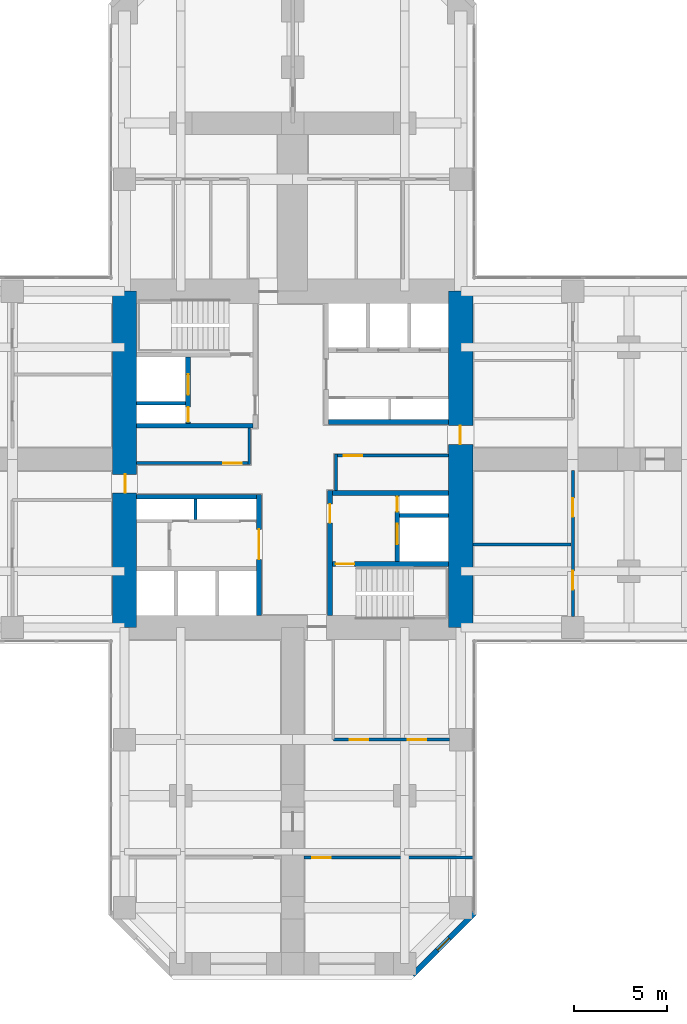
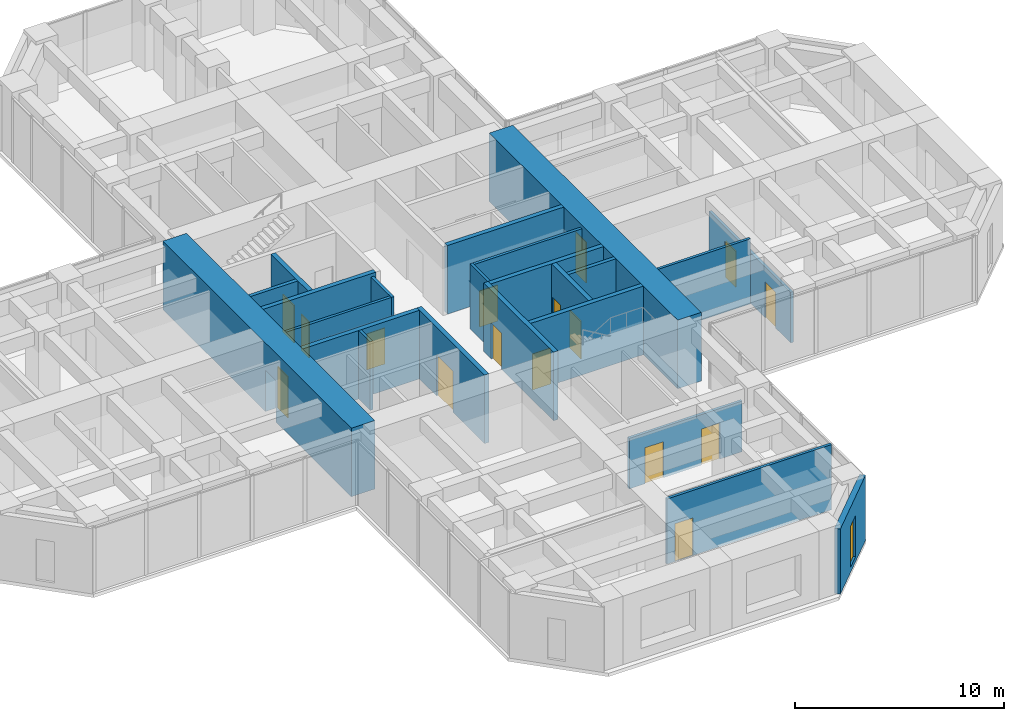
# One storey, part 9 of 12: 23 walls, 16 doors, 1 window, 17 openings.
"""IFC4 building model written with IfcOpenShell, lengths in metres."""

from ifc_helpers import new_model, si_unit, direction, frame, frame_2d, origin, place, context, subcontext, project, spatial, rectangle, hollow_rectangle, extrude, material, layer, layer_set, constituent, constituent_set, type_object, element, fill, save


model = new_model("IFC4")

# Units and contexts
model_context = context("Model", 3, precision=1e-05, world=origin(), true_north=direction((0.0, 1.0)))
body_context = subcontext(model_context, "Body", "Model", "MODEL_VIEW")
ifc_project = project(units=[si_unit("LENGTHUNIT", "METRE"), si_unit("AREAUNIT", "SQUARE_METRE"), si_unit("VOLUMEUNIT", "CUBIC_METRE"), si_unit("PLANEANGLEUNIT", "RADIAN"), si_unit("MASSUNIT", "GRAM", prefix="KILO")], contexts=[model_context])

# Site, building, storey
site_placement = place(None, origin())
site = spatial("IfcSite", under=ifc_project, at=site_placement, CompositionType="ELEMENT")
building_placement = place(site_placement, origin())
building = spatial("IfcBuilding", under=site, at=building_placement, Name="Torre Cruceta", CompositionType="ELEMENT")
storey_placement = place(building_placement, frame((0.0, 0.0, 83.5)))
storey = spatial("IfcBuildingStorey", under=building, at=storey_placement, Name="L20", CompositionType="ELEMENT", Elevation=83.5)

# Walls
ifc_material_1 = material(Name="Concrete G60 (fck 60 MPa)", Category="concrete")
ifc_layer_1 = layer(ifc_material_1, 0.25)
ifc_layer_set_1 = layer_set([ifc_layer_1], Name="Concrete G60 (fck 60 MPa)")
wall_type_1 = type_object("IfcWallType", Name="CORE INNER WALL 250 G60", PredefinedType="SHEAR", material=ifc_layer_set_1)
wall_1_placement = place(storey_placement, frame((1.925048828125, 2.0, 0.0), z_axis=(0.0, 0.0, 1.0), x_axis=(1.0, 0.0, 0.0)))
element("IfcWall", 1, at=wall_1_placement, inside=storey, type_object=wall_type_1, Name="CW4 L20 NE-CV", PredefinedType="SHEAR", context=body_context, shape_type="SweptSolid", body=[
    extrude(rectangle(XDim=6.425048828125, YDim=0.25, at=frame_2d((3.21240234375, 0.0))), origin(), (0.0, 0.0, 1.0), 4.0),
])
wall_2_placement = place(storey_placement, frame((-2.125, 1.800048828125, 0.0), z_axis=(0.0, 0.0, 1.0), x_axis=(-1.0, 0.0, 0.0)))
element("IfcWall", 2, at=wall_2_placement, inside=storey, type_object=wall_type_1, Name="CW4 L20 NW-CV", PredefinedType="SHEAR", context=body_context, shape_type="SweptSolid", body=[
    extrude(rectangle(XDim=6.22509765625, YDim=0.25, at=frame_2d((3.112548828125, 0.0))), origin(), (0.0, 0.0, 1.0), 4.0),
])

# Wall, openings, doors
wall_3_placement = place(storey_placement, frame((-5.60009765625, 1.925048828125, 0.0), z_axis=(0.0, 0.0, 1.0), x_axis=(0.0, 1.0, 0.0)))
wall_3 = element("IfcWall", 3, at=wall_3_placement, inside=storey, type_object=wall_type_1, Name="CW4 L20 NW-FU", PredefinedType="SHEAR", context=body_context, shape_type="SweptSolid", body=[
    extrude(rectangle(XDim=3.550048828125, YDim=0.25, at=frame_2d((1.77490234375, 0.0))), origin(), (0.0, 0.0, 1.0), 4.0),
])
opening_1_placement = place(wall_3_placement, frame((1.52490234375, 0.0, 0.0)))
opening_1 = element("IfcOpeningElement", 4, at=opening_1_placement, cuts=wall_3, Name="Opening LD1", PredefinedType="OPENING", context=body_context, shape_type="SweptSolid", body=[
    extrude(rectangle(XDim=1.10009765625, YDim=2.199951171875, at=frame_2d((0.550048828125, 1.10009765625))), frame((0.0, 0.135009765625, 0.0), z_axis=(0.0, -1.0, 0.0), x_axis=(1.0, 0.0, 0.0)), (0.0, 0.0, 1.0), 0.27001953125),
])
opening_2_placement = place(wall_3_placement, frame((0.074951171875, 0.0, 0.0)))
opening_2 = element("IfcOpeningElement", 5, at=opening_2_placement, cuts=wall_3, Name="Opening D5", PredefinedType="OPENING", context=body_context, shape_type="SweptSolid", body=[
    extrude(rectangle(XDim=0.800048828125, YDim=2.10009765625, at=frame_2d((0.39990234375, 1.050048828125))), frame((0.0, 0.135009765625, 0.0), z_axis=(0.0, -1.0, 0.0), x_axis=(1.0, 0.0, 0.0)), (0.0, 0.0, 1.0), 0.27001953125),
])
ifc_material_2 = material(Name="Stainless steel 1.4401", Category="steel")
door_type_1 = type_object("IfcDoorType", Name="LIFT LANDING DOOR 1100X2200", OperationType="DOUBLE_DOOR_SLIDING", PredefinedType="DOOR", material=ifc_material_2)
door_1_placement = place(opening_1_placement, origin())
door_1 = element("IfcDoor", 6, at=door_1_placement, inside=storey, type_object=door_type_1, Name="Lift landing door FL1", OperationType="DOUBLE_DOOR_SLIDING", OverallHeight=2.199951171875, OverallWidth=1.10009765625, PredefinedType="DOOR", context=body_context, shape_type="SweptSolid", body=[
    extrude(rectangle(XDim=1.10009765625, YDim=2.199951171875, at=frame_2d((0.550048828125, 1.10009765625))), frame((0.0, 0.02490234375, 0.0), z_axis=(0.0, -1.0, 0.0), x_axis=(1.0, 0.0, 0.0)), (0.0, 0.0, 1.0), 0.050048828125),
])
fill(opening_1, door_1)
ifc_material_3 = material(Name="Steel DX51D", Category="steel")
ifc_constituent_1 = constituent(ifc_material_3, Name="Leaf and frame")
ifc_material_4 = material(Name="Polyester powder coating", Category="paint")
ifc_constituent_2 = constituent(ifc_material_4, Name="Finish")
ifc_constituent_set_1 = constituent_set(constituents=[ifc_constituent_1, ifc_constituent_2], Name="Steel fire door")
door_type_2 = type_object("IfcDoorType", Name="RISER ACCESS DOOR 800X2100", OperationType="SINGLE_SWING_LEFT", PredefinedType="DOOR", material=ifc_constituent_set_1)
door_2_placement = place(opening_2_placement, origin())
door_2 = element("IfcDoor", 7, at=door_2_placement, inside=storey, type_object=door_type_2, Name="D5 L20 NW-RISER", OperationType="SINGLE_SWING_LEFT", OverallHeight=2.10009765625, OverallWidth=0.800048828125, PredefinedType="DOOR", context=body_context, shape_type="SweptSolid", body=[
    extrude(rectangle(XDim=0.800048828125, YDim=2.10009765625, at=frame_2d((0.39990234375, 1.050048828125))), frame((0.0, 0.02490234375, 0.0), z_axis=(0.0, -1.0, 0.0), x_axis=(1.0, 0.0, 0.0)), (0.0, 0.0, 1.0), 0.050048828125),
])
fill(opening_2, door_2)

# Wall, opening, door
wall_4_placement = place(storey_placement, frame((-1.800048828125, -1.875, 0.0), z_axis=(0.0, 0.0, 1.0), x_axis=(0.0, -1.0, 0.0)))
wall_4 = element("IfcWall", 8, at=wall_4_placement, inside=storey, type_object=wall_type_1, Name="CW4 L20 SW-CU", PredefinedType="SHEAR", context=body_context, shape_type="SweptSolid", body=[
    extrude(rectangle(XDim=6.47509765625, YDim=0.25, at=frame_2d((3.237548828125, 0.0))), origin(), (0.0, 0.0, 1.0), 4.0),
])
opening_3_placement = place(wall_4_placement, frame((1.875, 0.0, 0.0)))
opening_3 = element("IfcOpeningElement", 9, at=opening_3_placement, cuts=wall_4, Name="Opening D15", PredefinedType="OPENING", context=body_context, shape_type="SweptSolid", body=[
    extrude(rectangle(XDim=1.60009765625, YDim=2.39990234375, at=frame_2d((0.800048828125, 1.199951171875))), frame((0.0, 0.135009765625, 0.0), z_axis=(0.0, -1.0, 0.0), x_axis=(1.0, 0.0, 0.0)), (0.0, 0.0, 1.0), 0.27001953125),
])
ifc_material_5 = material(Name="Steel DX51D", Category="steel")
ifc_constituent_3 = constituent(ifc_material_5, Name="Leaf and frame")
ifc_material_6 = material(Name="Polyester powder coating", Category="paint")
ifc_constituent_4 = constituent(ifc_material_6, Name="Finish")
ifc_constituent_set_2 = constituent_set(constituents=[ifc_constituent_3, ifc_constituent_4], Name="Steel fire door")
door_type_3 = type_object("IfcDoorType", Name="CORE ROOM DOUBLE DOOR 1600X2400", OperationType="DOUBLE_DOOR_SINGLE_SWING", PredefinedType="DOOR", material=ifc_constituent_set_2)
door_3_placement = place(opening_3_placement, frame((1.60009765625, 0.0, 0.0), z_axis=(0.0, 0.0, 1.0), x_axis=(-1.0, 0.0, 0.0)))
door_3 = element("IfcDoor", 10, at=door_3_placement, inside=storey, type_object=door_type_3, Name="D15 L20 SW-LOBBY", OperationType="DOUBLE_DOOR_SINGLE_SWING", OverallHeight=2.39990234375, OverallWidth=1.60009765625, PredefinedType="DOOR", context=body_context, shape_type="SweptSolid", body=[
    extrude(rectangle(XDim=1.60009765625, YDim=2.39990234375, at=frame_2d((0.800048828125, 1.199951171875))), frame((0.0, 0.025146484375, 0.0), z_axis=(0.0, -1.0, 0.0), x_axis=(1.0, 0.0, 0.0)), (0.0, 0.0, 1.0), 0.050048828125),
])
fill(opening_3, door_3)

# Wall
wall_5_placement = place(storey_placement, frame((-1.925048828125, -2.0, 0.0), z_axis=(0.0, 0.0, 1.0), x_axis=(-1.0, 0.0, 0.0)))
element("IfcWall", 11, at=wall_5_placement, inside=storey, type_object=wall_type_1, Name="CW4 L20 SW-CV", PredefinedType="SHEAR", context=body_context, shape_type="SweptSolid", body=[
    extrude(rectangle(XDim=6.425048828125, YDim=0.25, at=frame_2d((3.21240234375, 0.0))), origin(), (0.0, 0.0, 1.0), 4.0),
])

# Wall, opening, door
wall_6_placement = place(storey_placement, frame((2.0, -1.675048828125, 0.0), z_axis=(0.0, 0.0, 1.0), x_axis=(0.0, -1.0, 0.0)))
wall_6 = element("IfcWall", 12, at=wall_6_placement, inside=storey, type_object=wall_type_1, Name="CW4 L20 SE-CU", PredefinedType="SHEAR", context=body_context, shape_type="SweptSolid", body=[
    extrude(rectangle(XDim=6.675048828125, YDim=0.25, at=frame_2d((3.33740234375, 0.0))), origin(), (0.0, 0.0, 1.0), 4.0),
])
opening_4_placement = place(wall_6_placement, frame((0.72509765625, 0.0, 0.0)))
opening_4 = element("IfcOpeningElement", 13, at=opening_4_placement, cuts=wall_6, Name="Opening D3", PredefinedType="OPENING", context=body_context, shape_type="SweptSolid", body=[
    extrude(rectangle(XDim=1.0, YDim=2.10009765625, at=frame_2d((0.5, 1.050048828125))), frame((0.0, 0.135009765625, 0.0), z_axis=(0.0, -1.0, 0.0), x_axis=(1.0, 0.0, 0.0)), (0.0, 0.0, 1.0), 0.27001953125),
])
ifc_material_7 = material(Name="Steel DX51D", Category="steel")
ifc_constituent_5 = constituent(ifc_material_7, Name="Leaf and frame")
ifc_material_8 = material(Name="Polyester powder coating", Category="paint")
ifc_constituent_6 = constituent(ifc_material_8, Name="Finish")
ifc_constituent_set_3 = constituent_set(constituents=[ifc_constituent_5, ifc_constituent_6], Name="Steel fire door")
door_type_4 = type_object("IfcDoorType", Name="FIRE DOOR 1000X2100", OperationType="SINGLE_SWING_LEFT", PredefinedType="DOOR", material=ifc_constituent_set_3)
door_4_placement = place(opening_4_placement, origin())
door_4 = element("IfcDoor", 14, at=door_4_placement, inside=storey, type_object=door_type_4, Name="D3 L20 SE-LOBBY", OperationType="SINGLE_SWING_LEFT", OverallHeight=2.10009765625, OverallWidth=1.0, PredefinedType="DOOR", context=body_context, shape_type="SweptSolid", body=[
    extrude(rectangle(XDim=1.0, YDim=2.10009765625, at=frame_2d((0.5, 1.050048828125))), frame((0.0, 0.02490234375, 0.0), z_axis=(0.0, -1.0, 0.0), x_axis=(1.0, 0.0, 0.0)), (0.0, 0.0, 1.0), 0.050048828125),
])
fill(opening_4, door_4)

# Wall
wall_7_placement = place(storey_placement, frame((2.125, -1.800048828125, 0.0), z_axis=(0.0, 0.0, 1.0), x_axis=(1.0, 0.0, 0.0)))
element("IfcWall", 15, at=wall_7_placement, inside=storey, type_object=wall_type_1, Name="CW4 L20 SE-CV", PredefinedType="SHEAR", context=body_context, shape_type="SweptSolid", body=[
    extrude(rectangle(XDim=6.22509765625, YDim=0.25, at=frame_2d((3.112548828125, 0.0))), origin(), (0.0, 0.0, 1.0), 4.0),
])

# Wall, opening, door
wall_8_placement = place(storey_placement, frame((2.125, -5.60009765625, 0.0), z_axis=(0.0, 0.0, 1.0), x_axis=(1.0, 0.0, 0.0)))
wall_8 = element("IfcWall", 16, at=wall_8_placement, inside=storey, type_object=wall_type_1, Name="CW4 L20 SE-SV", PredefinedType="SHEAR", context=body_context, shape_type="SweptSolid", body=[
    extrude(rectangle(XDim=6.22509765625, YDim=0.25, at=frame_2d((3.112548828125, 0.0))), origin(), (0.0, 0.0, 1.0), 4.0),
])
opening_5_placement = place(wall_8_placement, frame((0.175048828125, 0.0, 0.0)))
opening_5 = element("IfcOpeningElement", 17, at=opening_5_placement, cuts=wall_8, Name="Opening D3", PredefinedType="OPENING", context=body_context, shape_type="SweptSolid", body=[
    extrude(rectangle(XDim=1.0, YDim=2.10009765625, at=frame_2d((0.5, 1.050048828125))), frame((0.0, 0.135009765625, 0.0), z_axis=(0.0, -1.0, 0.0), x_axis=(1.0, 0.0, 0.0)), (0.0, 0.0, 1.0), 0.27001953125),
])
door_5_placement = place(opening_5_placement, frame((1.0, 0.0, 0.0), z_axis=(0.0, 0.0, 1.0), x_axis=(-1.0, 0.0, 0.0)))
door_5 = element("IfcDoor", 18, at=door_5_placement, inside=storey, type_object=door_type_4, Name="D3 L20 SE-STAIR", OperationType="SINGLE_SWING_RIGHT", OverallHeight=2.10009765625, OverallWidth=1.0, PredefinedType="DOOR", context=body_context, shape_type="SweptSolid", body=[
    extrude(rectangle(XDim=1.0, YDim=2.10009765625, at=frame_2d((0.5, 1.050048828125))), frame((0.0, 0.025146484375, 0.0), z_axis=(0.0, -1.0, 0.0), x_axis=(1.0, 0.0, 0.0)), (0.0, 0.0, 1.0), 0.050048828125),
])
fill(opening_5, door_5)

# Wall, openings, doors
wall_9_placement = place(storey_placement, frame((5.60009765625, -1.925048828125, 0.0), z_axis=(0.0, 0.0, 1.0), x_axis=(0.0, -1.0, 0.0)))
wall_9 = element("IfcWall", 19, at=wall_9_placement, inside=storey, type_object=wall_type_1, Name="CW4 L20 SE-FU", PredefinedType="SHEAR", context=body_context, shape_type="SweptSolid", body=[
    extrude(rectangle(XDim=3.550048828125, YDim=0.25, at=frame_2d((1.77490234375, 0.0))), origin(), (0.0, 0.0, 1.0), 4.0),
])
opening_6_placement = place(wall_9_placement, frame((1.52490234375, 0.0, 0.0)))
opening_6 = element("IfcOpeningElement", 20, at=opening_6_placement, cuts=wall_9, Name="Opening LD1", PredefinedType="OPENING", context=body_context, shape_type="SweptSolid", body=[
    extrude(rectangle(XDim=1.10009765625, YDim=2.199951171875, at=frame_2d((0.550048828125, 1.10009765625))), frame((0.0, 0.135009765625, 0.0), z_axis=(0.0, -1.0, 0.0), x_axis=(1.0, 0.0, 0.0)), (0.0, 0.0, 1.0), 0.27001953125),
])
opening_7_placement = place(wall_9_placement, frame((0.074951171875, 0.0, 0.0)))
opening_7 = element("IfcOpeningElement", 21, at=opening_7_placement, cuts=wall_9, Name="Opening D5", PredefinedType="OPENING", context=body_context, shape_type="SweptSolid", body=[
    extrude(rectangle(XDim=0.800048828125, YDim=2.10009765625, at=frame_2d((0.39990234375, 1.050048828125))), frame((0.0, 0.135009765625, 0.0), z_axis=(0.0, -1.0, 0.0), x_axis=(1.0, 0.0, 0.0)), (0.0, 0.0, 1.0), 0.27001953125),
])
door_6_placement = place(opening_6_placement, origin())
door_6 = element("IfcDoor", 22, at=door_6_placement, inside=storey, type_object=door_type_1, Name="Lift landing door FL2", OperationType="DOUBLE_DOOR_SLIDING", OverallHeight=2.199951171875, OverallWidth=1.10009765625, PredefinedType="DOOR", context=body_context, shape_type="SweptSolid", body=[
    extrude(rectangle(XDim=1.10009765625, YDim=2.199951171875, at=frame_2d((0.550048828125, 1.10009765625))), frame((0.0, 0.02490234375, 0.0), z_axis=(0.0, -1.0, 0.0), x_axis=(1.0, 0.0, 0.0)), (0.0, 0.0, 1.0), 0.050048828125),
])
fill(opening_6, door_6)
door_7_placement = place(opening_7_placement, origin())
door_7 = element("IfcDoor", 23, at=door_7_placement, inside=storey, type_object=door_type_2, Name="D5 L20 SE-RISER", OperationType="SINGLE_SWING_LEFT", OverallHeight=2.10009765625, OverallWidth=0.800048828125, PredefinedType="DOOR", context=body_context, shape_type="SweptSolid", body=[
    extrude(rectangle(XDim=0.800048828125, YDim=2.10009765625, at=frame_2d((0.39990234375, 1.050048828125))), frame((0.0, 0.02490234375, 0.0), z_axis=(0.0, -1.0, 0.0), x_axis=(1.0, 0.0, 0.0)), (0.0, 0.0, 1.0), 0.050048828125),
])
fill(opening_7, door_7)

# Wall, opening, door
ifc_material_9 = material(Name="Concrete G60 (fck 60 MPa)", Category="concrete")
ifc_layer_2 = layer(ifc_material_9, 1.300048828125)
ifc_layer_set_2 = layer_set([ifc_layer_2], Name="Concrete G60 (fck 60 MPa)")
wall_type_2 = type_object("IfcWallType", Name="CORE WALL 1300 G60", PredefinedType="SHEAR", material=ifc_layer_set_2)
wall_10_placement = place(storey_placement, frame((9.0, -9.0, 0.0), z_axis=(0.0, 0.0, 1.0), x_axis=(0.0, 1.0, 0.0)))
wall_10 = element("IfcWall", 24, at=wall_10_placement, inside=storey, type_object=wall_type_2, Name="CW1 L20 CW-E", PredefinedType="SHEAR", context=body_context, shape_type="SweptSolid", body=[
    extrude(rectangle(XDim=18.0, YDim=1.300048828125, at=frame_2d((9.0, 0.0))), origin(), (0.0, 0.0, 1.0), 4.0),
])
opening_8_placement = place(wall_10_placement, frame((9.800048828125, 0.0, 0.0)))
opening_8 = element("IfcOpeningElement", 25, at=opening_8_placement, cuts=wall_10, Name="Opening D4", PredefinedType="OPENING", context=body_context, shape_type="SweptSolid", body=[
    extrude(rectangle(XDim=1.0, YDim=2.39990234375, at=frame_2d((0.5, 1.199951171875))), frame((0.0, 0.659912109375, 0.0), z_axis=(0.0, -1.0, 0.0), x_axis=(1.0, 0.0, 0.0)), (0.0, 0.0, 1.0), 1.320068359375),
])
ifc_material_10 = material(Name="Steel DX51D", Category="steel")
ifc_constituent_7 = constituent(ifc_material_10, Name="Leaf and frame")
ifc_material_11 = material(Name="Polyester powder coating", Category="paint")
ifc_constituent_8 = constituent(ifc_material_11, Name="Finish")
ifc_constituent_set_4 = constituent_set(constituents=[ifc_constituent_7, ifc_constituent_8], Name="Steel fire door")
door_type_5 = type_object("IfcDoorType", Name="CORE ARM DOOR 1000X2400", OperationType="SINGLE_SWING_RIGHT", PredefinedType="DOOR", material=ifc_constituent_set_4)
door_8_placement = place(opening_8_placement, frame((1.0, 0.0, 0.0), z_axis=(0.0, 0.0, 1.0), x_axis=(-1.0, 0.0, 0.0)))
door_8 = element("IfcDoor", 26, at=door_8_placement, inside=storey, type_object=door_type_5, Name="D4 L20 CW-E", OperationType="SINGLE_SWING_RIGHT", OverallHeight=2.39990234375, OverallWidth=1.0, PredefinedType="DOOR", context=body_context, shape_type="SweptSolid", body=[
    extrude(rectangle(XDim=1.0, YDim=2.39990234375, at=frame_2d((0.5, 1.199951171875))), frame((0.0, -0.005126953125, 0.0), z_axis=(0.0, -1.0, 0.0), x_axis=(1.0, 0.0, 0.0)), (0.0, 0.0, 1.0), 0.050048828125),
])
fill(opening_8, door_8)

wall_11_placement = place(storey_placement, frame((-9.0, 9.0, 0.0), z_axis=(0.0, 0.0, 1.0), x_axis=(0.0, -1.0, 0.0)))
wall_11 = element("IfcWall", 27, at=wall_11_placement, inside=storey, type_object=wall_type_2, Name="CW1 L20 CW-W", PredefinedType="SHEAR", context=body_context, shape_type="SweptSolid", body=[
    extrude(rectangle(XDim=18.0, YDim=1.300048828125, at=frame_2d((9.0, 0.0))), origin(), (0.0, 0.0, 1.0), 4.0),
])
opening_9_placement = place(wall_11_placement, frame((9.800048828125, 0.0, 0.0)))
opening_9 = element("IfcOpeningElement", 28, at=opening_9_placement, cuts=wall_11, Name="Opening D4", PredefinedType="OPENING", context=body_context, shape_type="SweptSolid", body=[
    extrude(rectangle(XDim=1.0, YDim=2.39990234375, at=frame_2d((0.5, 1.199951171875))), frame((0.0, 0.659912109375, 0.0), z_axis=(0.0, -1.0, 0.0), x_axis=(1.0, 0.0, 0.0)), (0.0, 0.0, 1.0), 1.320068359375),
])
door_9_placement = place(opening_9_placement, frame((1.0, 0.0, 0.0), z_axis=(0.0, 0.0, 1.0), x_axis=(-1.0, 0.0, 0.0)))
door_9 = element("IfcDoor", 29, at=door_9_placement, inside=storey, type_object=door_type_5, Name="D4 L20 CW-W", OperationType="SINGLE_SWING_RIGHT", OverallHeight=2.39990234375, OverallWidth=1.0, PredefinedType="DOOR", context=body_context, shape_type="SweptSolid", body=[
    extrude(rectangle(XDim=1.0, YDim=2.39990234375, at=frame_2d((0.5, 1.199951171875))), frame((0.0, -0.005126953125, 0.0), z_axis=(0.0, -1.0, 0.0), x_axis=(1.0, 0.0, 0.0)), (0.0, 0.0, 1.0), 0.050048828125),
])
fill(opening_9, door_9)

# Wall, opening, window
ifc_material_12 = material(Name="Concrete G30 (fck 30 MPa)", Category="concrete")
ifc_layer_3 = layer(ifc_material_12, 0.300048828125)
ifc_layer_set_3 = layer_set([ifc_layer_3], Name="Concrete G30 (fck 30 MPa)")
wall_type_3 = type_object("IfcWallType", Name="EXPOSED CONCRETE FACADE WALL 300", PredefinedType="SOLIDWALL", material=ifc_layer_set_3)
wall_12_placement = place(storey_placement, frame((6.418212890625, -27.60009765625, 0.0), z_axis=(0.0, 0.0, 1.0), x_axis=(0.707106781187, 0.707106781187, 0.0)))
wall_12 = element("IfcWall", 30, at=wall_12_placement, inside=storey, type_object=wall_type_3, Name="EW1 facade wall L20 S chamfer 18", PredefinedType="SOLIDWALL", context=body_context, shape_type="SweptSolid", body=[
    extrude(rectangle(XDim=4.66943359375, YDim=0.300048828125, at=frame_2d((2.334716796875, 0.0))), origin(), (0.0, 0.0, 1.0), 3.800048828125),
])
opening_10_placement = place(wall_12_placement, frame((1.884765625, 0.0, 0.300048828125)))
opening_10 = element("IfcOpeningElement", 31, at=opening_10_placement, cuts=wall_12, Name="Opening WN5", PredefinedType="OPENING", context=body_context, shape_type="SweptSolid", body=[
    extrude(rectangle(XDim=0.89990234375, YDim=2.39990234375, at=frame_2d((0.449951171875, 1.199951171875))), frame((0.0, 0.159912109375, 0.0), z_axis=(0.0, -1.0, 0.0), x_axis=(1.0, 0.0, 0.0)), (0.0, 0.0, 1.0), 0.320068359375),
])
ifc_material_13 = material(Name="Aluminium window frame", Category="aluminium")
ifc_constituent_9 = constituent(ifc_material_13, Name="Frame")
ifc_material_14 = material(Name="Laminated insulating glass unit, low-iron clear", Category="glass")
ifc_constituent_10 = constituent(ifc_material_14, Name="Glazing")
ifc_constituent_set_5 = constituent_set(constituents=[ifc_constituent_9, ifc_constituent_10], Name="Aluminium window")
window_type = type_object("IfcWindowType", Name="CHAMFER SLOT WINDOW 900X2400", PartitioningType="SINGLE_PANEL", PredefinedType="WINDOW", material=ifc_constituent_set_5)
window_placement = place(opening_10_placement, origin())
window = element("IfcWindow", 32, at=window_placement, inside=storey, type_object=window_type, Name="WN5 L20 S 1", OverallHeight=2.39990234375, OverallWidth=0.89990234375, PartitioningType="SINGLE_PANEL", PredefinedType="WINDOW", context=body_context, shape_type="SweptSolid", body=[
    extrude(hollow_rectangle(XDim=0.89990234375, YDim=2.39990234375, WallThickness=0.06005859375, at=frame_2d((0.449951171875, 1.199951171875))), frame((0.0, 0.030029296875, 0.0), z_axis=(0.0, -1.0, 0.0), x_axis=(1.0, 0.0, 0.0)), (0.0, 0.0, 1.0), 0.06005859375),
    extrude(rectangle(XDim=0.77880859375, YDim=2.27880859375, at=frame_2d((0.449951171875, 1.199951171875))), frame((0.0, 0.030029296875, 0.0), z_axis=(0.0, -1.0, 0.0), x_axis=(1.0, 0.0, 0.0)), (0.0, 0.0, 1.0), 0.06005859375),
])
fill(opening_10, window)

# Walls
ifc_material_15 = material(Name="Concrete G35 (fck 35 MPa)", Category="concrete")
ifc_layer_4 = layer(ifc_material_15, 0.199951171875)
ifc_layer_set_4 = layer_set([ifc_layer_4], Name="Concrete G35 (fck 35 MPa)")
wall_type_4 = type_object("IfcWallType", Name="LIFT SHAFT WALL 200", PredefinedType="PARTITIONING", material=ifc_layer_set_4)
for number, where, z_axis, x_axis, name in (
    (33, (-5.72509765625, 3.0, 0.0), (0.0, 0.0, 1.0), (-1.0, 0.0, 0.0), "SW1 L20 NW-FR"),
    (34, (5.72509765625, -3.0, 0.0), (0.0, 0.0, 1.0), (1.0, 0.0, 0.0), "SW1 L20 SE-FR"),
):
    element("IfcWall", number, at=place(storey_placement, frame(where, z_axis=z_axis, x_axis=x_axis)), inside=storey, type_object=wall_type_4, Name=name, PredefinedType="PARTITIONING", context=body_context, shape_type="SweptSolid", body=[
        extrude(rectangle(XDim=2.625, YDim=0.199951171875, at=frame_2d((1.3125, 0.0))), origin(), (0.0, 0.0, 1.0), 4.0),
    ])

# Wall, opening, door
ifc_material_16 = material(Name="Plasterboard on steel studs", Category="steel")
ifc_layer_5 = layer(ifc_material_16, 0.14990234375)
ifc_layer_set_5 = layer_set([ifc_layer_5], Name="Plasterboard on steel studs")
wall_type_5 = type_object("IfcWallType", Name="PARTITION 150", PredefinedType="PARTITIONING", material=ifc_layer_set_5)
wall_13_placement = place(storey_placement, frame((2.324951171875, 0.199951171875, 0.0), z_axis=(0.0, 0.0, 1.0), x_axis=(1.0, 0.0, 0.0)))
wall_13 = element("IfcWall", 35, at=wall_13_placement, inside=storey, type_object=wall_type_5, Name="PT1 L20-CORE-LEGE-S-W1", PredefinedType="PARTITIONING", context=body_context, shape_type="SweptSolid", body=[
    extrude(rectangle(XDim=6.025146484375, YDim=0.14990234375, at=frame_2d((3.0126953125, 0.0))), origin(), (0.0, 0.0, 1.0), 3.800048828125),
])
opening_11_placement = place(wall_13_placement, frame((0.39990234375, 0.0, 0.0)))
opening_11 = element("IfcOpeningElement", 36, at=opening_11_placement, cuts=wall_13, Name="Opening D3", PredefinedType="OPENING", context=body_context, shape_type="SweptSolid", body=[
    extrude(rectangle(XDim=1.0, YDim=2.10009765625, at=frame_2d((0.5, 1.050048828125))), frame((0.0, 0.0849609375, 0.0), z_axis=(0.0, -1.0, 0.0), x_axis=(1.0, 0.0, 0.0)), (0.0, 0.0, 1.0), 0.169921875),
])
door_10_placement = place(opening_11_placement, frame((1.0, 0.0, 0.0), z_axis=(0.0, 0.0, 1.0), x_axis=(-1.0, 0.0, 0.0)))
door_10 = element("IfcDoor", 37, at=door_10_placement, inside=storey, type_object=door_type_4, Name="D3 L20-CORE-LEGE-S-W1-D1", OperationType="SINGLE_SWING_RIGHT", OverallHeight=2.10009765625, OverallWidth=1.0, PredefinedType="DOOR", context=body_context, shape_type="SweptSolid", body=[
    extrude(rectangle(XDim=1.0, YDim=2.10009765625, at=frame_2d((0.5, 1.050048828125))), frame((0.0, 0.025146484375, 0.0), z_axis=(0.0, -1.0, 0.0), x_axis=(1.0, 0.0, 0.0)), (0.0, 0.0, 1.0), 0.050048828125),
])
fill(opening_11, door_10)

# Wall
wall_14_placement = place(storey_placement, frame((2.324951171875, -1.675048828125, 0.0), z_axis=(0.0, 0.0, 1.0), x_axis=(0.0, 1.0, 0.0)))
element("IfcWall", 38, at=wall_14_placement, inside=storey, type_object=wall_type_5, Name="PT1 L20-CORE-LEGE-S-W2", PredefinedType="PARTITIONING", context=body_context, shape_type="SweptSolid", body=[
    extrude(rectangle(XDim=1.949951171875, YDim=0.14990234375, at=frame_2d((0.97509765625, 0.0))), origin(), (0.0, 0.0, 1.0), 3.800048828125),
])

# Wall, opening, door
wall_15_placement = place(storey_placement, frame((-2.324951171875, -0.199951171875, 0.0), z_axis=(0.0, 0.0, 1.0), x_axis=(-1.0, 0.0, 0.0)))
wall_15 = element("IfcWall", 39, at=wall_15_placement, inside=storey, type_object=wall_type_5, Name="PT1 L20-CORE-LEGW-N-W1", PredefinedType="PARTITIONING", context=body_context, shape_type="SweptSolid", body=[
    extrude(rectangle(XDim=6.025146484375, YDim=0.14990234375, at=frame_2d((3.0126953125, 0.0))), origin(), (0.0, 0.0, 1.0), 3.800048828125),
])
opening_12_placement = place(wall_15_placement, frame((0.39990234375, 0.0, 0.0)))
opening_12 = element("IfcOpeningElement", 40, at=opening_12_placement, cuts=wall_15, Name="Opening D3", PredefinedType="OPENING", context=body_context, shape_type="SweptSolid", body=[
    extrude(rectangle(XDim=1.0, YDim=2.10009765625, at=frame_2d((0.5, 1.050048828125))), frame((0.0, 0.0849609375, 0.0), z_axis=(0.0, -1.0, 0.0), x_axis=(1.0, 0.0, 0.0)), (0.0, 0.0, 1.0), 0.169921875),
])
door_11_placement = place(opening_12_placement, frame((1.0, 0.0, 0.0), z_axis=(0.0, 0.0, 1.0), x_axis=(-1.0, 0.0, 0.0)))
door_11 = element("IfcDoor", 41, at=door_11_placement, inside=storey, type_object=door_type_4, Name="D3 L20-CORE-LEGW-N-W1-D1", OperationType="SINGLE_SWING_RIGHT", OverallHeight=2.10009765625, OverallWidth=1.0, PredefinedType="DOOR", context=body_context, shape_type="SweptSolid", body=[
    extrude(rectangle(XDim=1.0, YDim=2.10009765625, at=frame_2d((0.5, 1.050048828125))), frame((0.0, 0.025146484375, 0.0), z_axis=(0.0, -1.0, 0.0), x_axis=(1.0, 0.0, 0.0)), (0.0, 0.0, 1.0), 0.050048828125),
])
fill(opening_12, door_11)

# Wall
wall_16_placement = place(storey_placement, frame((-2.324951171875, 1.675048828125, 0.0), z_axis=(0.0, 0.0, 1.0), x_axis=(0.0, -1.0, 0.0)))
element("IfcWall", 42, at=wall_16_placement, inside=storey, type_object=wall_type_5, Name="PT1 L20-CORE-LEGW-N-W2", PredefinedType="PARTITIONING", context=body_context, shape_type="SweptSolid", body=[
    extrude(rectangle(XDim=1.949951171875, YDim=0.14990234375, at=frame_2d((0.97509765625, 0.0))), origin(), (0.0, 0.0, 1.0), 3.800048828125),
])

# Wall, openings, doors
wall_17_placement = place(storey_placement, frame((15.0, -8.39990234375, 0.0), z_axis=(0.0, 0.0, 1.0), x_axis=(0.0, 1.0, 0.0)))
wall_17 = element("IfcWall", 43, at=wall_17_placement, inside=storey, type_object=wall_type_5, Name="PT1 L20-E-BFR", PredefinedType="PARTITIONING", context=body_context, shape_type="SweptSolid", body=[
    extrude(rectangle(XDim=7.7998046875, YDim=0.14990234375, at=frame_2d((3.89990234375, 0.0))), origin(), (0.0, 0.0, 1.0), 2.949951171875),
])
opening_13_placement = place(wall_17_placement, frame((1.425048828125, 0.0, 0.0)))
opening_13 = element("IfcOpeningElement", 44, at=opening_13_placement, cuts=wall_17, Name="Opening D3", PredefinedType="OPENING", context=body_context, shape_type="SweptSolid", body=[
    extrude(rectangle(XDim=1.0, YDim=2.10009765625, at=frame_2d((0.5, 1.050048828125))), frame((0.0, 0.0849609375, 0.0), z_axis=(0.0, -1.0, 0.0), x_axis=(1.0, 0.0, 0.0)), (0.0, 0.0, 1.0), 0.169921875),
])
opening_14_placement = place(wall_17_placement, frame((5.324951171875, 0.0, 0.0)))
opening_14 = element("IfcOpeningElement", 45, at=opening_14_placement, cuts=wall_17, Name="Opening D3", PredefinedType="OPENING", context=body_context, shape_type="SweptSolid", body=[
    extrude(rectangle(XDim=1.0, YDim=2.10009765625, at=frame_2d((0.5, 1.050048828125))), frame((0.0, 0.0849609375, 0.0), z_axis=(0.0, -1.0, 0.0), x_axis=(1.0, 0.0, 0.0)), (0.0, 0.0, 1.0), 0.169921875),
])
door_12_placement = place(opening_13_placement, origin())
door_12 = element("IfcDoor", 46, at=door_12_placement, inside=storey, type_object=door_type_4, Name="D3 L20-E-BFR-D1", OperationType="SINGLE_SWING_RIGHT", OverallHeight=2.10009765625, OverallWidth=1.0, PredefinedType="DOOR", context=body_context, shape_type="SweptSolid", body=[
    extrude(rectangle(XDim=1.0, YDim=2.10009765625, at=frame_2d((0.5, 1.050048828125))), frame((0.0, 0.02490234375, 0.0), z_axis=(0.0, -1.0, 0.0), x_axis=(1.0, 0.0, 0.0)), (0.0, 0.0, 1.0), 0.050048828125),
])
fill(opening_13, door_12)
door_13_placement = place(opening_14_placement, origin())
door_13 = element("IfcDoor", 47, at=door_13_placement, inside=storey, type_object=door_type_4, Name="D3 L20-E-BFR-D2", OperationType="SINGLE_SWING_LEFT", OverallHeight=2.10009765625, OverallWidth=1.0, PredefinedType="DOOR", context=body_context, shape_type="SweptSolid", body=[
    extrude(rectangle(XDim=1.0, YDim=2.10009765625, at=frame_2d((0.5, 1.050048828125))), frame((0.0, 0.02490234375, 0.0), z_axis=(0.0, -1.0, 0.0), x_axis=(1.0, 0.0, 0.0)), (0.0, 0.0, 1.0), 0.050048828125),
])
fill(opening_14, door_13)

# Wall
wall_18_placement = place(storey_placement, frame((9.64990234375, -4.550048828125, 0.0), z_axis=(0.0, 0.0, 1.0), x_axis=(1.0, 0.0, 0.0)))
element("IfcWall", 48, at=wall_18_placement, inside=storey, type_object=wall_type_5, Name="PT1 L20-E-BDR1", PredefinedType="PARTITIONING", context=body_context, shape_type="SweptSolid", body=[
    extrude(rectangle(XDim=5.25, YDim=0.14990234375, at=frame_2d((2.625, 0.0))), origin(), (0.0, 0.0, 1.0), 3.800048828125),
])

# Wall, openings, doors
wall_19_placement = place(storey_placement, frame((2.175048828125, -15.0, 0.0), z_axis=(0.0, 0.0, 1.0), x_axis=(1.0, 0.0, 0.0)))
wall_19 = element("IfcWall", 49, at=wall_19_placement, inside=storey, type_object=wall_type_5, Name="PT1 L20-S-BFL", PredefinedType="PARTITIONING", context=body_context, shape_type="SweptSolid", body=[
    extrude(rectangle(XDim=6.224853515625, YDim=0.14990234375, at=frame_2d((3.1123046875, 0.0))), origin(), (0.0, 0.0, 1.0), 2.949951171875),
])
opening_15_placement = place(wall_19_placement, frame((0.875244140625, 0.0, 0.0)))
opening_15 = element("IfcOpeningElement", 50, at=opening_15_placement, cuts=wall_19, Name="Opening D3", PredefinedType="OPENING", context=body_context, shape_type="SweptSolid", body=[
    extrude(rectangle(XDim=1.0, YDim=2.10009765625, at=frame_2d((0.5, 1.050048828125))), frame((0.0, 0.0849609375, 0.0), z_axis=(0.0, -1.0, 0.0), x_axis=(1.0, 0.0, 0.0)), (0.0, 0.0, 1.0), 0.169921875),
])
opening_16_placement = place(wall_19_placement, frame((3.98779296875, 0.0, 0.0)))
opening_16 = element("IfcOpeningElement", 51, at=opening_16_placement, cuts=wall_19, Name="Opening D3", PredefinedType="OPENING", context=body_context, shape_type="SweptSolid", body=[
    extrude(rectangle(XDim=1.0, YDim=2.10009765625, at=frame_2d((0.5, 1.050048828125))), frame((0.0, 0.0849609375, 0.0), z_axis=(0.0, -1.0, 0.0), x_axis=(1.0, 0.0, 0.0)), (0.0, 0.0, 1.0), 0.169921875),
])
door_14_placement = place(opening_15_placement, origin())
door_14 = element("IfcDoor", 52, at=door_14_placement, inside=storey, type_object=door_type_4, Name="D3 L20-S-BFL-D1", OperationType="SINGLE_SWING_LEFT", OverallHeight=2.10009765625, OverallWidth=1.0, PredefinedType="DOOR", context=body_context, shape_type="SweptSolid", body=[
    extrude(rectangle(XDim=1.0, YDim=2.10009765625, at=frame_2d((0.5, 1.050048828125))), frame((0.0, 0.02490234375, 0.0), z_axis=(0.0, -1.0, 0.0), x_axis=(1.0, 0.0, 0.0)), (0.0, 0.0, 1.0), 0.050048828125),
])
fill(opening_15, door_14)
door_15_placement = place(opening_16_placement, origin())
door_15 = element("IfcDoor", 53, at=door_15_placement, inside=storey, type_object=door_type_4, Name="D3 L20-S-BFL-D2", OperationType="SINGLE_SWING_LEFT", OverallHeight=2.10009765625, OverallWidth=1.0, PredefinedType="DOOR", context=body_context, shape_type="SweptSolid", body=[
    extrude(rectangle(XDim=1.0, YDim=2.10009765625, at=frame_2d((0.5, 1.050048828125))), frame((0.0, 0.02490234375, 0.0), z_axis=(0.0, -1.0, 0.0), x_axis=(1.0, 0.0, 0.0)), (0.0, 0.0, 1.0), 0.050048828125),
])
fill(opening_16, door_15)

# Wall, opening, door
wall_20_placement = place(storey_placement, frame((0.60009765625, -21.320068359375, 0.0), z_axis=(0.0, 0.0, 1.0), x_axis=(1.0, 0.0, 0.0)))
wall_20 = element("IfcWall", 54, at=wall_20_placement, inside=storey, type_object=wall_type_5, Name="PT1 L20-S-TWL", PredefinedType="PARTITIONING", context=body_context, shape_type="SweptSolid", body=[
    extrude(rectangle(XDim=9.079833984375, YDim=0.14990234375, at=frame_2d((4.5400390625, 0.0))), origin(), (0.0, 0.0, 1.0), 3.800048828125),
])
opening_17_placement = place(wall_20_placement, frame((0.449951171875, 0.0, 0.0)))
opening_17 = element("IfcOpeningElement", 55, at=opening_17_placement, cuts=wall_20, Name="Opening D14", PredefinedType="OPENING", context=body_context, shape_type="SweptSolid", body=[
    extrude(rectangle(XDim=1.0, YDim=2.199951171875, at=frame_2d((0.5, 1.10009765625))), frame((0.0, 0.0849609375, 0.0), z_axis=(0.0, -1.0, 0.0), x_axis=(1.0, 0.0, 0.0)), (0.0, 0.0, 1.0), 0.169921875),
])
ifc_material_17 = material(Name="Steel DX51D", Category="steel")
ifc_constituent_11 = constituent(ifc_material_17, Name="Leaf and frame")
ifc_material_18 = material(Name="Polyester powder coating", Category="paint")
ifc_constituent_12 = constituent(ifc_material_18, Name="Finish")
ifc_material_19 = material(Name="Fire-resisting glass", Category="glass")
ifc_constituent_13 = constituent(ifc_material_19, Name="Vision panel")
ifc_constituent_set_6 = constituent_set(constituents=[ifc_constituent_11, ifc_constituent_12, ifc_constituent_13], Name="Steel fire door with vision panel")
door_type_6 = type_object("IfcDoorType", Name="FIRE DOOR VISION PANEL 1000X2200", OperationType="SINGLE_SWING_RIGHT", PredefinedType="DOOR", material=ifc_constituent_set_6)
door_16_placement = place(opening_17_placement, frame((1.0, 0.0, 0.0), z_axis=(0.0, 0.0, 1.0), x_axis=(-1.0, 0.0, 0.0)))
door_16 = element("IfcDoor", 56, at=door_16_placement, inside=storey, type_object=door_type_6, Name="D14 L20-S-TWL-D1", OperationType="SINGLE_SWING_RIGHT", OverallHeight=2.199951171875, OverallWidth=1.0, PredefinedType="DOOR", context=body_context, shape_type="SweptSolid", body=[
    extrude(rectangle(XDim=1.0, YDim=2.199951171875, at=frame_2d((0.5, 1.10009765625))), frame((0.0, 0.025146484375, 0.0), z_axis=(0.0, -1.0, 0.0), x_axis=(1.0, 0.0, 0.0)), (0.0, 0.0, 1.0), 0.050048828125),
])
fill(opening_17, door_16)

# Wall
ifc_material_20 = material(Name="Concrete block masonry", Category="masonry")
ifc_layer_6 = layer(ifc_material_20, 0.14990234375)
ifc_layer_set_6 = layer_set([ifc_layer_6], Name="Concrete block masonry")
wall_type_6 = type_object("IfcWallType", Name="RISER WALL 150", PredefinedType="PARTITIONING", material=ifc_layer_set_6)
wall_21_placement = place(storey_placement, frame((-5.199951171875, -2.125, 0.0), z_axis=(0.0, 0.0, 1.0), x_axis=(0.0, -1.0, 0.0)))
element("IfcWall", 57, at=wall_21_placement, inside=storey, type_object=wall_type_6, Name="SW7 L20 SW-RU", PredefinedType="PARTITIONING", context=body_context, shape_type="SweptSolid", body=[
    extrude(rectangle(XDim=1.10009765625, YDim=0.14990234375, at=frame_2d((0.550048828125, 0.0))), origin(), (0.0, 0.0, 1.0), 4.0),
])

save(model, "model.ifc")
